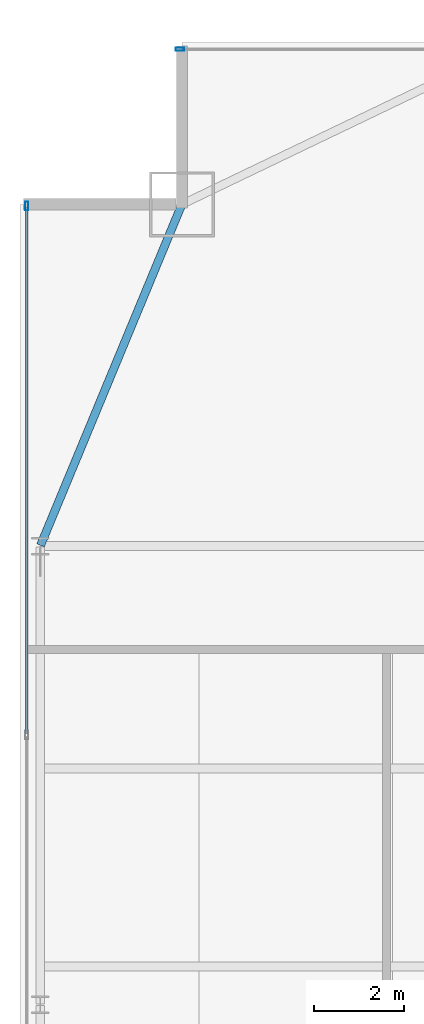
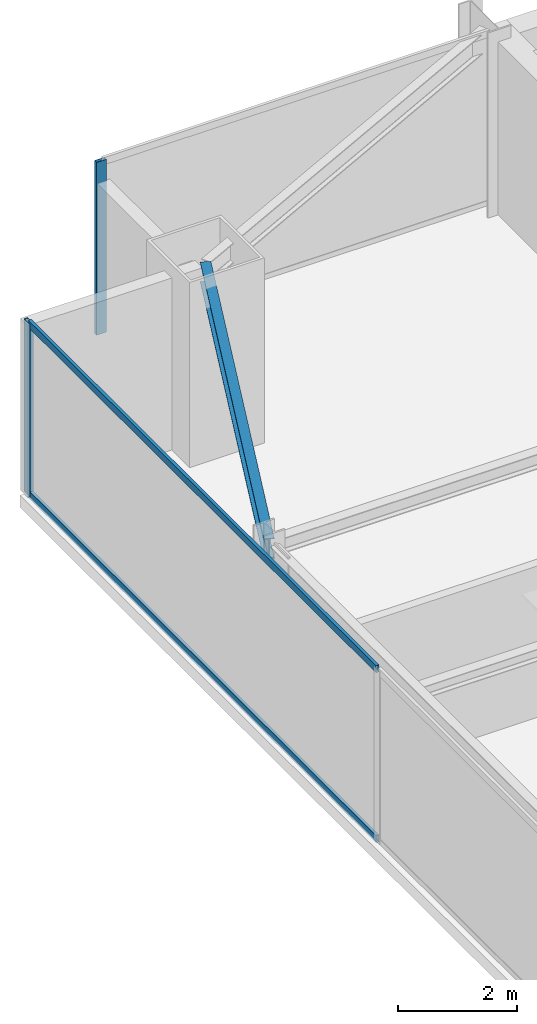
# One storey, part 21 of 32: 4 members, 1 beam, 2 elements without a shape of their own.
"""IFC4 building model written with IfcOpenShell, lengths in metres."""

from ifc_helpers import new_model, si_unit, direction, frame, origin, origin_2d, place, context, subcontext, project, spatial, hollow_rectangle, i_section, extrude, source, transform, mapped, material, layer, layer_set, material_profile, profile_set, type_object, type_shapes, element, aggregate, save


model = new_model("IFC4")

# Units and contexts
model_context = context("Model", 3, precision=1e-05, world=origin(), true_north=direction((0.0, 1.0)))
body_context = subcontext(model_context, "Body", "Model", "MODEL_VIEW")
ifc_project = project(units=[si_unit("LENGTHUNIT", "METRE"), si_unit("AREAUNIT", "SQUARE_METRE"), si_unit("VOLUMEUNIT", "CUBIC_METRE"), si_unit("PLANEANGLEUNIT", "RADIAN"), si_unit("MASSUNIT", "GRAM", prefix="KILO")], contexts=[model_context])

# Site, building, storey
site_placement = place(None, origin())
site = spatial("IfcSite", under=ifc_project, at=site_placement, CompositionType="ELEMENT")
building_placement = place(site_placement, origin())
building = spatial("IfcBuilding", under=site, at=building_placement, Name="Varnel Quay Broadcast Tower", CompositionType="ELEMENT")
storey_placement = place(building_placement, frame((0.0, 0.0, 90.800048828125)))
storey = spatial("IfcBuildingStorey", under=building, at=storey_placement, Name="L21", CompositionType="ELEMENT", Elevation=90.800048828125)

# Beam
ifc_material_1 = material(Name="Structural Steel CSA G40.21 350W", Category="steel")
ifc_material_profile_1 = material_profile(ifc_material_1, i_section(OverallWidth=0.180908203125, OverallDepth=0.4169921875, WebThickness=0.010986328125, FlangeThickness=0.018310546875, FilletRadius=0.011962890625, at=origin_2d()), Name="W410X85")
ifc_profile_set_1 = profile_set([ifc_material_profile_1], Name="Structural Steel CSA G40.21 350W")
beam_type = type_object("IfcBeamType", Name="Beam_W410X85", PredefinedType="SPANDREL", material=ifc_profile_set_1)
shared_shape_1 = source(origin(), body_context, "Body", "SweptSolid", [
    extrude(i_section(OverallWidth=0.180908203125, OverallDepth=0.4169921875, WebThickness=0.010986328125, FlangeThickness=0.018310546875, FilletRadius=0.011962890625, at=origin_2d()), origin(), (0.0, 0.0, 1.0), 8.186767578125),
])
type_shapes(beam_type, [shared_shape_1])
beam_placement = place(storey_placement, frame((4.957763671875, 35.618408203125, 3.341552734375), z_axis=(0.382874132092, 0.923800519038, 0.0), x_axis=(-0.923800519038, 0.382874132092, 0.0)))
element("IfcBeam", 1, at=beam_placement, inside=storey, type_object=beam_type, Name="L21 West Spandrel TC-W3-MC-NW", PredefinedType="SPANDREL", context=body_context, shape_type="MappedRepresentation", body=[
    mapped(shared_shape_1, transform((0.0, 0.0, 0.0), x_axis=(1.0, 0.0, 0.0), y_axis=(0.0, 1.0, 0.0), z_axis=(0.0, 0.0, 1.0), scale=1.0)),
])

# Curtain wall, member
ifc_material_2 = material(Name="Anodised Bronze Aluminium 6063-T6", Category="aluminium")
ifc_layer = layer(ifc_material_2, 0.18994140625, Name="Anodised Bronze Aluminium 6063-T6")
ifc_layer_set = layer_set([ifc_layer], Name="Anodised Bronze Aluminium 6063-T6")
curtain_wall_type = type_object("IfcCurtainWallType", Name="CW_LowerTower", PredefinedType="NOTDEFINED", material=ifc_layer_set)
curtain_wall_1_placement = place(storey_placement, origin())
curtain_wall_1 = element("IfcCurtainWall", 2, at=curtain_wall_1_placement, inside=storey, type_object=curtain_wall_type, Name="L21 West Unitised Curtain Wall", PredefinedType="NOTDEFINED")
ifc_material_profile_2 = material_profile(ifc_material_2, hollow_rectangle(XDim=0.070068359375, YDim=0.18994140625, WallThickness=0.00390625, at=origin_2d()), Name="ALU70X190X4")
ifc_profile_set_2 = profile_set([ifc_material_profile_2], Name="Anodised Bronze Aluminium 6063-T6")
member_type_1 = type_object("IfcMemberType", Name="Mull_CWS-02", PredefinedType="MULLION", material=ifc_profile_set_2)
shared_shape_2 = source(origin(), body_context, "Body", "SweptSolid", [
    extrude(hollow_rectangle(XDim=0.070068359375, YDim=0.18994140625, WallThickness=0.00390625, at=origin_2d()), origin(), (0.0, 0.0, 1.0), 3.550048828125),
])
type_shapes(member_type_1, [shared_shape_2])
member_1_placement = place(storey_placement, frame((4.64990234375, 43.1650390625, 0.0), z_axis=(0.0, 0.0, 1.0), x_axis=(-1.0, 0.0, 0.0)))
member_1 = element("IfcMember", 3, at=member_1_placement, type_object=member_type_1, Name="CWS-02 mullion 4", PredefinedType="MULLION", context=body_context, shape_type="MappedRepresentation", body=[
    mapped(shared_shape_2, transform((0.0, 0.0, 0.0), x_axis=(1.0, 0.0, 0.0), y_axis=(0.0, 1.0, 0.0), z_axis=(0.0, 0.0, 1.0), scale=1.0)),
])

curtain_wall_2_placement = place(storey_placement, origin())
curtain_wall_2 = element("IfcCurtainWall", 4, at=curtain_wall_2_placement, inside=storey, type_object=curtain_wall_type, Name="L21 NW Wing Curtain Wall", PredefinedType="NOTDEFINED")
member_2_placement = place(storey_placement, frame((8.054931640625, 46.64990234375, 0.0), z_axis=(0.0, 0.0, 1.0), x_axis=(0.0, 1.0, 0.0)))
member_2 = element("IfcMember", 5, at=member_2_placement, type_object=member_type_1, Name="CWS-02 mullion 1", PredefinedType="MULLION", context=body_context, shape_type="MappedRepresentation", body=[
    mapped(shared_shape_2, transform((0.0, 0.0, 0.0), x_axis=(1.0, 0.0, 0.0), y_axis=(0.0, 1.0, 0.0), z_axis=(0.0, 0.0, 1.0), scale=1.0)),
])
aggregate(curtain_wall_2, [member_2])

# Member
ifc_material_profile_3 = material_profile(ifc_material_2, hollow_rectangle(XDim=0.06005859375, YDim=0.14501953125, WallThickness=0.00341796875, at=origin_2d()), Name="ALU60X145X3.5")
ifc_profile_set_3 = profile_set([ifc_material_profile_3], Name="Anodised Bronze Aluminium 6063-T6")
member_type_2 = type_object("IfcMemberType", Name="Tran_CWS-02", PredefinedType="USERDEFINED", material=ifc_profile_set_3)
shared_shape_3 = source(origin(), body_context, "Body", "SweptSolid", [
    extrude(hollow_rectangle(XDim=0.06005859375, YDim=0.14501953125, WallThickness=0.00341796875, at=origin_2d()), origin(), (0.0, 0.0, 1.0), 11.69482421875),
])
type_shapes(member_type_2, [shared_shape_3])
member_3_placement = place(storey_placement, frame((4.64990234375, 31.43505859375, 0.030029296875), z_axis=(0.0, 1.0, 0.0), x_axis=(-1.0, 0.0, 0.0)))
member_3 = element("IfcMember", 6, at=member_3_placement, type_object=member_type_2, Name="CWS-02 transom 3.1", ObjectType="TRANSOM", PredefinedType="USERDEFINED", context=body_context, shape_type="MappedRepresentation", body=[
    mapped(shared_shape_3, transform((0.0, 0.0, 0.0), x_axis=(1.0, 0.0, 0.0), y_axis=(0.0, 1.0, 0.0), z_axis=(0.0, 0.0, 1.0), scale=1.0)),
])

member_4_placement = place(storey_placement, frame((4.64990234375, 31.43505859375, 3.52001953125), z_axis=(0.0, 1.0, 0.0), x_axis=(-1.0, 0.0, 0.0)))
member_4 = element("IfcMember", 7, at=member_4_placement, type_object=member_type_2, Name="CWS-02 transom 3.2", ObjectType="TRANSOM", PredefinedType="USERDEFINED", context=body_context, shape_type="MappedRepresentation", body=[
    mapped(shared_shape_3, transform((0.0, 0.0, 0.0), x_axis=(1.0, 0.0, 0.0), y_axis=(0.0, 1.0, 0.0), z_axis=(0.0, 0.0, 1.0), scale=1.0)),
])

aggregate(curtain_wall_1, [member_1, member_3, member_4])

save(model, "model.ifc")
